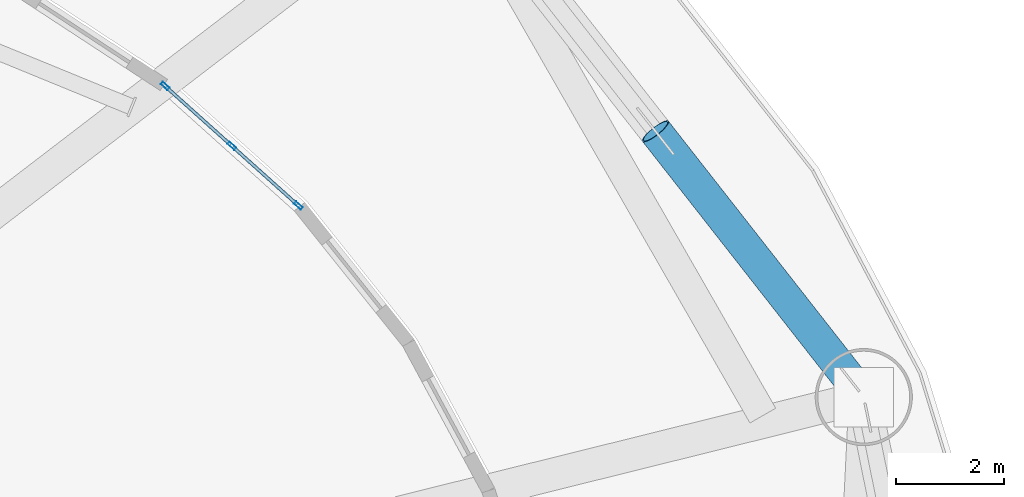
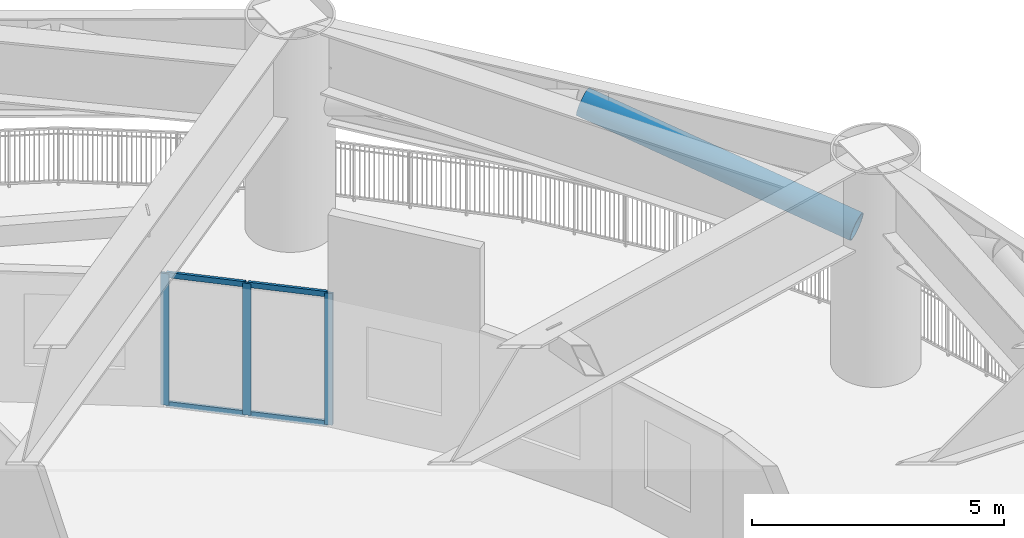
# One storey, part 14 of 39: 8 members, 1 element without a shape of its own.
"""IFC4 building model written with IfcOpenShell, lengths in metres."""

from ifc_helpers import new_model, si_unit, direction, frame, origin, origin_2d, place, context, subcontext, project, spatial, hollow_rectangle, hollow_circle, extrude, source, transform, mapped, material, layer, layer_set, material_profile, profile_set, type_object, element, aggregate, save


model = new_model("IFC4")

# Units and contexts
model_context = context("Model", 3, precision=1e-05, world=origin(), true_north=direction((0.0, 1.0)))
body_context = subcontext(model_context, "Body", "Model", "MODEL_VIEW")
ifc_project = project(units=[si_unit("LENGTHUNIT", "METRE"), si_unit("AREAUNIT", "SQUARE_METRE"), si_unit("VOLUMEUNIT", "CUBIC_METRE"), si_unit("PLANEANGLEUNIT", "RADIAN"), si_unit("MASSUNIT", "GRAM", prefix="KILO")], contexts=[model_context])

# Site, building, storey
site_placement = place(None, origin())
site = spatial("IfcSite", under=ifc_project, at=site_placement, CompositionType="ELEMENT")
building_placement = place(site_placement, origin())
building = spatial("IfcBuilding", under=site, at=building_placement, Name="Linh Dai School and Residence Tower", CompositionType="ELEMENT")
storey_placement = place(building_placement, frame((0.0, 0.0, 27.0)))
storey = spatial("IfcBuildingStorey", under=building, at=storey_placement, Name="L06", CompositionType="ELEMENT", Elevation=27.0)

# Member
ifc_material_1 = material(Name="Structural Steel S355JR", Category="steel")
ifc_material_profile_1 = material_profile(ifc_material_1, hollow_circle(Radius=0.304931640625, WallThickness=0.02490234375, at=origin_2d()), Name="CHS 610x25")
ifc_profile_set_1 = profile_set([ifc_material_profile_1], Name="Structural Steel S355JR")
member_type_1 = type_object("IfcMemberType", Name="MBR-BT1", PredefinedType="BRACE", material=ifc_profile_set_1)
member_1_placement = place(storey_placement, frame((66.16943359375, 34.875732421875, 3.154052734375), z_axis=(-0.597556233995, 0.762559745941, 0.24784910951), x_axis=(-0.787118921052, -0.616801267932, 0.0)))
element("IfcMember", 1, at=member_1_placement, inside=storey, type_object=member_type_1, Name="L06 Ring Belt Truss BT1 Diagonal 02A", PredefinedType="BRACE", context=body_context, shape_type="SweptSolid", body=[
    extrude(hollow_circle(Radius=0.304931640625, WallThickness=0.02490234375, at=origin_2d()), origin(), (0.0, 0.0, 1.0), 6.035400390625),
])

# Curtain wall, members
ifc_material_2 = material(Name="Aluminium Anodised Curtain Wall", Category="aluminium")
ifc_layer = layer(ifc_material_2, 0.169921875)
ifc_layer_set = layer_set([ifc_layer], Name="Aluminium Anodised Curtain Wall")
curtain_wall_type = type_object("IfcCurtainWallType", Name="CW-SYS-2", PredefinedType="USERDEFINED", material=ifc_layer_set)
curtain_wall_placement = place(storey_placement, origin())
curtain_wall = element("IfcCurtainWall", 2, at=curtain_wall_placement, inside=storey, type_object=curtain_wall_type, Name="L06 CW2 Curtain Wall 05", ObjectType="UNITISED CURTAIN WALL", PredefinedType="USERDEFINED")
ifc_material_3 = material(Name="Aluminium Alloy 6063-T6", Category="aluminium")
ifc_material_profile_2 = material_profile(ifc_material_3, hollow_rectangle(XDim=0.06005859375, YDim=0.169921875, WallThickness=0.00390625, at=origin_2d()), Name="RHS 170x60x4")
ifc_profile_set_2 = profile_set([ifc_material_profile_2], Name="Aluminium Alloy 6063-T6")
member_type_2 = type_object("IfcMemberType", Name="CW-SYS-2-MUL", PredefinedType="MULLION", material=ifc_profile_set_2)
shared_shape_1 = source(origin(), body_context, "Body", "SweptSolid", [
    extrude(hollow_rectangle(XDim=0.06005859375, YDim=0.169921875, WallThickness=0.00390625, at=origin_2d()), origin(), (0.0, 0.0, 1.0), 3.18505859375),
])
member_2_placement = place(storey_placement, frame((53.482666015625, 40.315673828125, 0.0), z_axis=(0.0, 0.0, 1.0), x_axis=(0.667731152609, 0.744402517349, 0.0)))
member_2 = element("IfcMember", 3, at=member_2_placement, type_object=member_type_2, Name="CW2 mullion 1", PredefinedType="MULLION", context=body_context, shape_type="MappedRepresentation", body=[
    mapped(shared_shape_1, transform((0.0, 0.0, 0.0), x_axis=(1.0, 0.0, 0.0), y_axis=(0.0, 1.0, 0.0), z_axis=(0.0, 0.0, 1.0), scale=1.0)),
])
member_3_placement = place(storey_placement, frame((54.716552734375, 39.208740234375, 0.0), z_axis=(0.0, 0.0, 1.0), x_axis=(0.667731152609, 0.744402517349, 0.0)))
member_3 = element("IfcMember", 4, at=member_3_placement, type_object=member_type_2, Name="CW2 mullion 2", PredefinedType="MULLION", context=body_context, shape_type="MappedRepresentation", body=[
    mapped(shared_shape_1, transform((0.0, 0.0, 0.0), x_axis=(1.0, 0.0, 0.0), y_axis=(0.0, 1.0, 0.0), z_axis=(0.0, 0.0, 1.0), scale=1.0)),
])
member_4_placement = place(storey_placement, frame((55.95068359375, 38.10205078125, 0.0), z_axis=(0.0, 0.0, 1.0), x_axis=(0.667731152609, 0.744402517349, 0.0)))
member_4 = element("IfcMember", 5, at=member_4_placement, type_object=member_type_2, Name="CW2 mullion 3", PredefinedType="MULLION", context=body_context, shape_type="MappedRepresentation", body=[
    mapped(shared_shape_1, transform((0.0, 0.0, 0.0), x_axis=(1.0, 0.0, 0.0), y_axis=(0.0, 1.0, 0.0), z_axis=(0.0, 0.0, 1.0), scale=1.0)),
])
ifc_material_profile_3 = material_profile(ifc_material_3, hollow_rectangle(XDim=0.06005859375, YDim=0.1298828125, WallThickness=0.00390625, at=origin_2d()), Name="RHS 130x60x4")
ifc_profile_set_3 = profile_set([ifc_material_profile_3], Name="Aluminium Alloy 6063-T6")
member_type_3 = type_object("IfcMemberType", Name="CW-SYS-2-TRN", PredefinedType="USERDEFINED", material=ifc_profile_set_3)
shared_shape_2 = source(origin(), body_context, "Body", "SweptSolid", [
    extrude(hollow_rectangle(XDim=0.06005859375, YDim=0.1298828125, WallThickness=0.00390625, at=origin_2d()), origin(), (0.0, 0.0, 1.0), 1.59765625),
])
member_5_placement = place(storey_placement, frame((53.5048828125, 40.295654296875, 0.030029296875), z_axis=(0.744493483797, -0.667629727157, 0.0), x_axis=(0.667629727157, 0.744493483797, 0.0)))
member_5 = element("IfcMember", 6, at=member_5_placement, type_object=member_type_3, Name="CW2 transom 1.1", ObjectType="TRANSOM", PredefinedType="USERDEFINED", context=body_context, shape_type="MappedRepresentation", body=[
    mapped(shared_shape_2, transform((0.0, 0.0, 0.0), x_axis=(1.0, 0.0, 0.0), y_axis=(0.0, 1.0, 0.0), z_axis=(0.0, 0.0, 1.0), scale=1.0)),
])
member_6_placement = place(storey_placement, frame((53.5048828125, 40.295654296875, 3.155029296875), z_axis=(0.744493483797, -0.667629727157, 0.0), x_axis=(0.667629727157, 0.744493483797, 0.0)))
member_6 = element("IfcMember", 7, at=member_6_placement, type_object=member_type_3, Name="CW2 transom 1.2", ObjectType="TRANSOM", PredefinedType="USERDEFINED", context=body_context, shape_type="MappedRepresentation", body=[
    mapped(shared_shape_2, transform((0.0, 0.0, 0.0), x_axis=(1.0, 0.0, 0.0), y_axis=(0.0, 1.0, 0.0), z_axis=(0.0, 0.0, 1.0), scale=1.0)),
])
shared_shape_3 = source(origin(), body_context, "Body", "SweptSolid", [
    extrude(hollow_rectangle(XDim=0.06005859375, YDim=0.1298828125, WallThickness=0.00390625, at=origin_2d()), origin(), (0.0, 0.0, 1.0), 1.597412109375),
])
member_7_placement = place(storey_placement, frame((54.739013671875, 39.188720703125, 0.030029296875), z_axis=(0.744425359965, -0.667705686243, 0.0), x_axis=(0.667705686243, 0.744425359965, 0.0)))
member_7 = element("IfcMember", 8, at=member_7_placement, type_object=member_type_3, Name="CW2 transom 2.1", ObjectType="TRANSOM", PredefinedType="USERDEFINED", context=body_context, shape_type="MappedRepresentation", body=[
    mapped(shared_shape_3, transform((0.0, 0.0, 0.0), x_axis=(1.0, 0.0, 0.0), y_axis=(0.0, 1.0, 0.0), z_axis=(0.0, 0.0, 1.0), scale=1.0)),
])
member_8_placement = place(storey_placement, frame((54.739013671875, 39.188720703125, 3.155029296875), z_axis=(0.744425359965, -0.667705686243, 0.0), x_axis=(0.667705686243, 0.744425359965, 0.0)))
member_8 = element("IfcMember", 9, at=member_8_placement, type_object=member_type_3, Name="CW2 transom 2.2", ObjectType="TRANSOM", PredefinedType="USERDEFINED", context=body_context, shape_type="MappedRepresentation", body=[
    mapped(shared_shape_3, transform((0.0, 0.0, 0.0), x_axis=(1.0, 0.0, 0.0), y_axis=(0.0, 1.0, 0.0), z_axis=(0.0, 0.0, 1.0), scale=1.0)),
])
aggregate(curtain_wall, [member_2, member_3, member_4, member_5, member_6, member_7, member_8])

save(model, "model.ifc")
